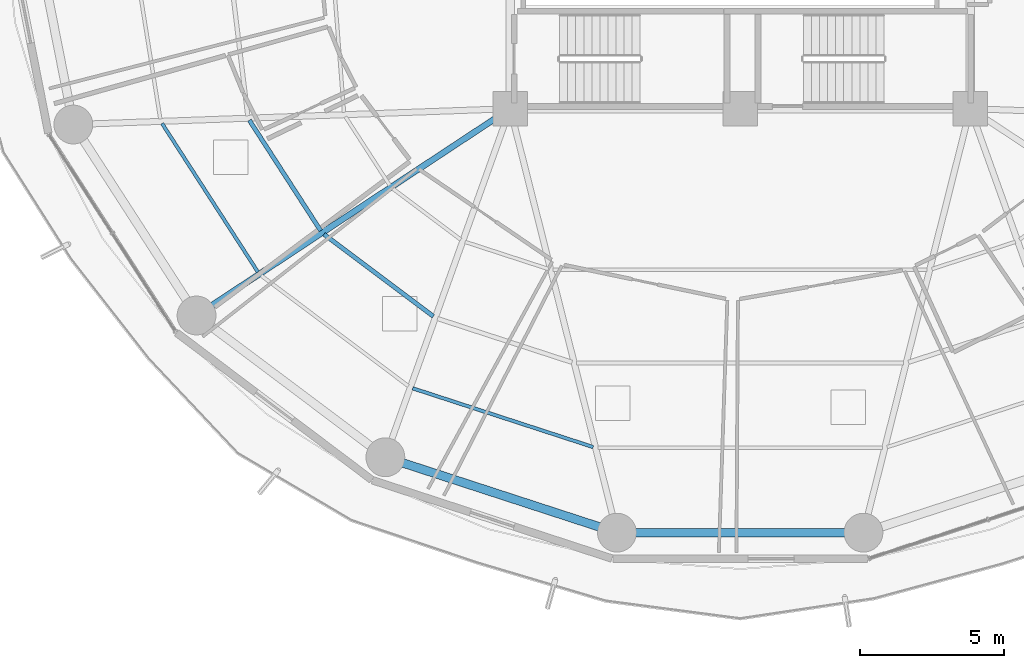
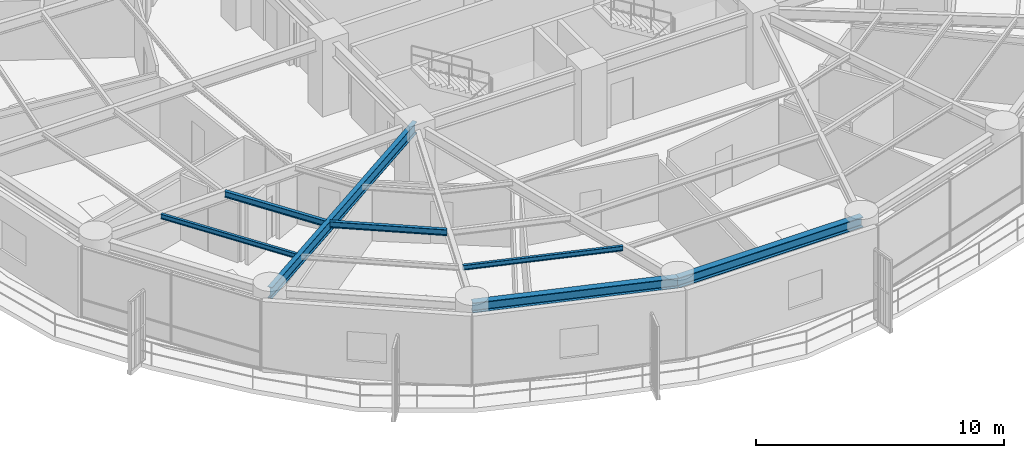
# One storey, part 3 of 38: 7 beams.
"""IFC4 building model written with IfcOpenShell, lengths in metres."""

from ifc_helpers import new_model, si_unit, direction, frame, origin, origin_2d, place, context, subcontext, project, spatial, i_section, extrude, material, material_profile, profile_set, type_object, element, save


model = new_model("IFC4")

# Units and contexts
model_context = context("Model", 3, precision=1e-05, world=origin(), true_north=direction((0.0, 1.0)))
body_context = subcontext(model_context, "Body", "Model", "MODEL_VIEW")
ifc_project = project(units=[si_unit("LENGTHUNIT", "METRE"), si_unit("AREAUNIT", "SQUARE_METRE"), si_unit("VOLUMEUNIT", "CUBIC_METRE"), si_unit("PLANEANGLEUNIT", "RADIAN"), si_unit("MASSUNIT", "GRAM", prefix="KILO")], contexts=[model_context])

# Site, building, storey
site_placement = place(None, origin())
site = spatial("IfcSite", under=ifc_project, at=site_placement, CompositionType="ELEMENT")
building_placement = place(site_placement, origin())
building = spatial("IfcBuilding", under=site, at=building_placement, Name="Kelanora Arch Commons", CompositionType="ELEMENT")
storey_placement = place(building_placement, frame((0.0, 0.0, 106.35009765625)))
storey = spatial("IfcBuildingStorey", under=building, at=storey_placement, Name="L27", CompositionType="ELEMENT", Elevation=106.35009765625)

# Beams
ifc_material = material(Name="Steel S355", Category="steel")
ifc_material_profile_1 = material_profile(ifc_material, i_section(OverallWidth=0.14990234375, OverallDepth=0.300048828125, WebThickness=0.007080078125, FlangeThickness=0.0107421875, FilletRadius=0.014892578125, at=origin_2d()), Name="IPE300")
ifc_profile_set_1 = profile_set([ifc_material_profile_1], Name="Steel S355")
beam_type_1 = type_object("IfcBeamType", Name="BM-JST-01", PredefinedType="JOIST", material=ifc_profile_set_1)
beam_1_placement = place(storey_placement, frame((56.93115234375, 50.597412109375, 3.33984375), z_axis=(0.542230243286, -0.840229946661, 0.0), x_axis=(0.840229946661, 0.542230243286, 0.0)))
element("IfcBeam", 1, at=beam_1_placement, inside=storey, type_object=beam_type_1, Name="Secondary Chord Joist BJB-20 L27", PredefinedType="JOIST", context=body_context, shape_type="SweptSolid", body=[
    extrude(i_section(OverallWidth=0.14990234375, OverallDepth=0.300048828125, WebThickness=0.007080078125, FlangeThickness=0.0107421875, FilletRadius=0.014892578125, at=origin_2d()), origin(), (0.0, 0.0, 1.0), 4.572265625),
])
beam_2_placement = place(storey_placement, frame((59.5244140625, 46.63330078125, 3.33984375), z_axis=(0.79971039107, -0.600385951214, 0.0), x_axis=(0.600385951214, 0.79971039107, 0.0)))
element("IfcBeam", 2, at=beam_2_placement, inside=storey, type_object=beam_type_1, Name="Secondary Chord Joist BJB-22 L27", PredefinedType="JOIST", context=body_context, shape_type="SweptSolid", body=[
    extrude(i_section(OverallWidth=0.14990234375, OverallDepth=0.300048828125, WebThickness=0.007080078125, FlangeThickness=0.0107421875, FilletRadius=0.014892578125, at=origin_2d()), origin(), (0.0, 0.0, 1.0), 4.756103515625),
])
ifc_material_profile_2 = material_profile(ifc_material, i_section(OverallWidth=0.1201171875, OverallDepth=0.239990234375, WebThickness=0.006103515625, FlangeThickness=0.009765625, FilletRadius=0.014892578125, at=origin_2d()), Name="IPE240")
ifc_profile_set_2 = profile_set([ifc_material_profile_2], Name="Steel S355")
beam_type_2 = type_object("IfcBeamType", Name="BM-JST-02", PredefinedType="JOIST", material=ifc_profile_set_2)
beam_3_placement = place(storey_placement, frame((53.892822265625, 50.487060546875, 3.369873046875), z_axis=(0.542212726273, -0.840241250754, 0.0), x_axis=(0.840241250754, 0.542212726273, 0.0)))
element("IfcBeam", 3, at=beam_3_placement, inside=storey, type_object=beam_type_2, Name="Secondary Chord Joist BJC-20 L27", PredefinedType="JOIST", context=body_context, shape_type="SweptSolid", body=[
    extrude(i_section(OverallWidth=0.1201171875, OverallDepth=0.239990234375, WebThickness=0.006103515625, FlangeThickness=0.009765625, FilletRadius=0.014892578125, at=origin_2d()), origin(), (0.0, 0.0, 1.0), 6.15283203125),
])
beam_4_placement = place(storey_placement, frame((62.60888671875, 41.276123046875, 3.369873046875), z_axis=(0.950862829272, -0.309612467301, 0.0), x_axis=(0.309612467301, 0.950862829272, 0.0)))
element("IfcBeam", 4, at=beam_4_placement, inside=storey, type_object=beam_type_2, Name="Secondary Chord Joist BJC-24 L27", PredefinedType="JOIST", context=body_context, shape_type="SweptSolid", body=[
    extrude(i_section(OverallWidth=0.1201171875, OverallDepth=0.239990234375, WebThickness=0.006103515625, FlangeThickness=0.009765625, FilletRadius=0.014892578125, at=origin_2d()), origin(), (0.0, 0.0, 1.0), 6.6064453125),
])
ifc_material_profile_3 = material_profile(ifc_material, i_section(OverallWidth=0.2099609375, OverallDepth=0.550048828125, WebThickness=0.010986328125, FlangeThickness=0.01708984375, FilletRadius=0.02392578125, at=origin_2d()), Name="IPE550")
ifc_profile_set_3 = profile_set([ifc_material_profile_3], Name="Steel S355")
beam_type_3 = type_object("IfcBeamType", Name="BM-RAD-Z2", PredefinedType="BEAM", material=ifc_profile_set_3)
beam_5_placement = place(storey_placement, frame((66.0, 51.0, 3.21484375), z_axis=(-0.834788577908, -0.550570640512, 0.0), x_axis=(0.550570640512, -0.834788577908, 0.0)))
element("IfcBeam", 5, at=beam_5_placement, inside=storey, type_object=beam_type_3, Name="Radial Floor Girder BR-22 L27", PredefinedType="BEAM", context=body_context, shape_type="SweptSolid", body=[
    extrude(i_section(OverallWidth=0.2099609375, OverallDepth=0.550048828125, WebThickness=0.010986328125, FlangeThickness=0.01708984375, FilletRadius=0.02392578125, at=origin_2d()), origin(), (0.0, 0.0, 1.0), 13.064453125),
])
ifc_material_profile_4 = material_profile(ifc_material, i_section(OverallWidth=0.300048828125, OverallDepth=0.5, WebThickness=0.014404296875, FlangeThickness=0.028076171875, FilletRadius=0.027099609375, at=origin_2d()), Name="HEB500")
ifc_profile_set_4 = profile_set([ifc_material_profile_4], Name="Steel S355")
beam_type_4 = type_object("IfcBeamType", Name="BM-SPN-Z2", PredefinedType="SPANDREL", material=ifc_profile_set_4)
beam_6_placement = place(storey_placement, frame((61.659912109375, 38.878173828125, 3.239990234375), z_axis=(0.950856631974, -0.309631499418, 0.0), x_axis=(0.309631499418, 0.950856631974, 0.0)))
element("IfcBeam", 6, at=beam_6_placement, inside=storey, type_object=beam_type_4, Name="Perimeter Spandrel Beam BS-24 L27", PredefinedType="SPANDREL", context=body_context, shape_type="SweptSolid", body=[
    extrude(i_section(OverallWidth=0.300048828125, OverallDepth=0.5, WebThickness=0.014404296875, FlangeThickness=0.028076171875, FilletRadius=0.027099609375, at=origin_2d()), origin(), (0.0, 0.0, 1.0), 8.470703125),
])
beam_7_placement = place(storey_placement, frame((69.71435546875, 36.25537109375, 3.239990234375), z_axis=(1.0, 0.0, 0.0), x_axis=(0.0, 1.0, 0.0)))
element("IfcBeam", 7, at=beam_7_placement, inside=storey, type_object=beam_type_4, Name="Perimeter Spandrel Beam BS-26 L27", PredefinedType="SPANDREL", context=body_context, shape_type="SweptSolid", body=[
    extrude(i_section(OverallWidth=0.300048828125, OverallDepth=0.5, WebThickness=0.014404296875, FlangeThickness=0.028076171875, FilletRadius=0.027099609375, at=origin_2d()), origin(), (0.0, 0.0, 1.0), 8.5712890625),
])

save(model, "model.ifc")
